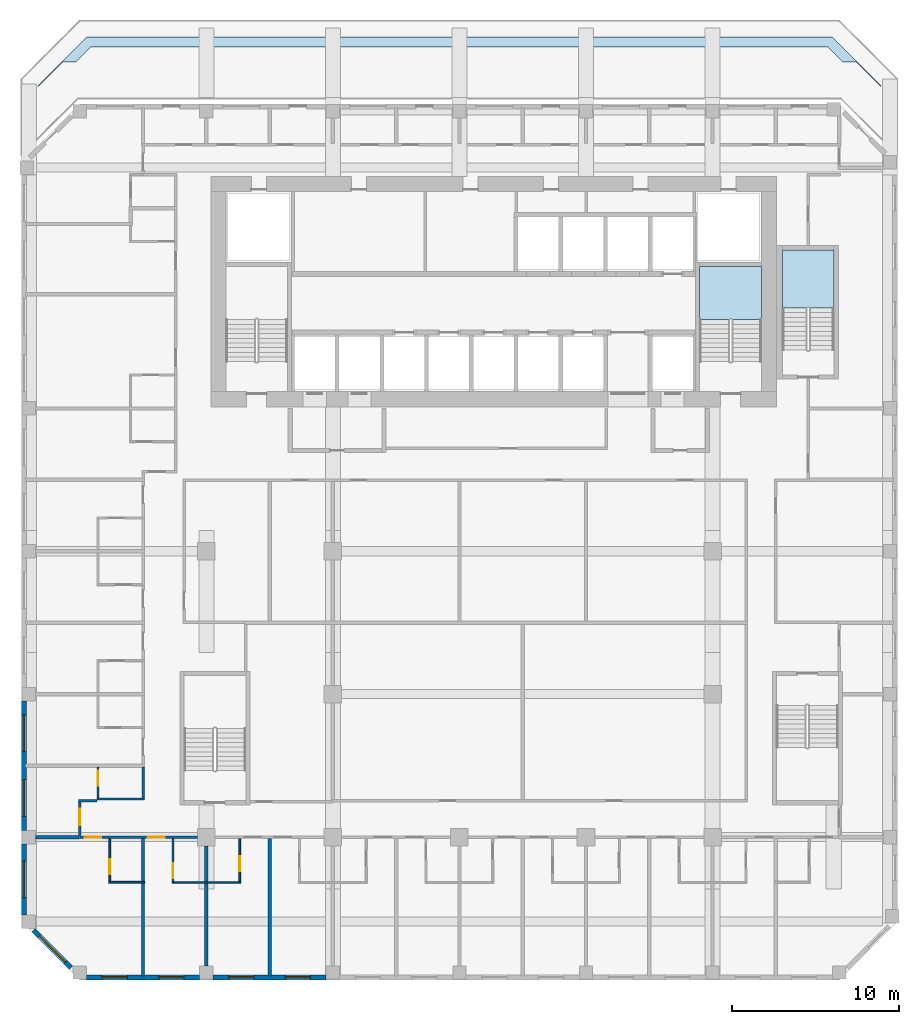
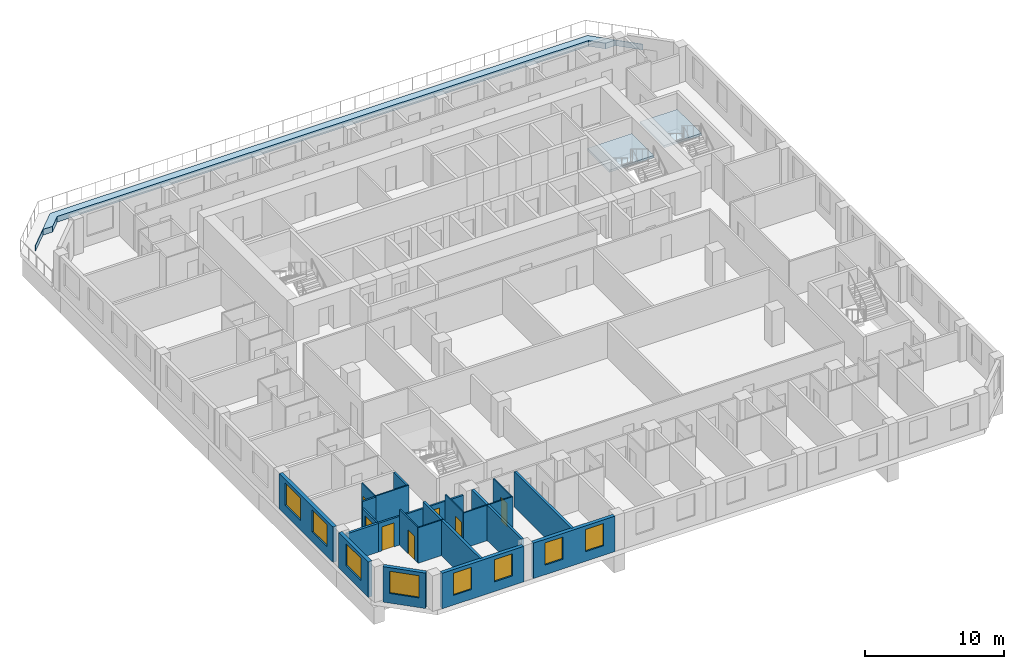
# One storey, part 2 of 16: 22 walls, 8 windows, 7 doors, 3 slabs, 15 openings, 2 elements without a shape of their own.
"""IFC4 building model written with IfcOpenShell, lengths in metres."""

from ifc_helpers import new_model, si_unit, direction, frame, frame_2d, origin, place, context, subcontext, project, spatial, polyline, rectangle, outline, extrude, source, transform, mapped, material, layer, layer_set, type_object, element, fill, aggregate, save


model = new_model("IFC4")

# Units and contexts
model_context = context("Model", 3, precision=1e-05, world=origin(), true_north=direction((0.0, 1.0)))
body_context = subcontext(model_context, "Body", "Model", "MODEL_VIEW")
ifc_project = project(units=[si_unit("LENGTHUNIT", "METRE"), si_unit("AREAUNIT", "SQUARE_METRE"), si_unit("VOLUMEUNIT", "CUBIC_METRE"), si_unit("PLANEANGLEUNIT", "RADIAN"), si_unit("MASSUNIT", "GRAM", prefix="KILO")], contexts=[model_context])

# Site, building, storey
site_placement = place(None, origin())
site = spatial("IfcSite", under=ifc_project, at=site_placement, CompositionType="ELEMENT")
building_placement = place(site_placement, origin())
building = spatial("IfcBuilding", under=site, at=building_placement, Name="Kilnfold Tower and Market Hall", CompositionType="ELEMENT")
storey_placement = place(building_placement, frame((0.0, 0.0, 168.5)))
storey = spatial("IfcBuildingStorey", under=building, at=storey_placement, Name="L39", CompositionType="ELEMENT", Elevation=168.5)

# Slab
ifc_material_1 = material(Name="Concrete C40/50", Category="concrete")
ifc_layer_1 = layer(ifc_material_1, 0.5)
ifc_layer_set_1 = layer_set([ifc_layer_1], Name="Concrete C40/50")
slab_type_1 = type_object("IfcSlabType", Name="PLANTER BED 500", PredefinedType="ROOF", material=ifc_layer_set_1)
shared_shape_1 = source(origin(), body_context, "Body", "SweptSolid", [
    extrude(outline(polyline([(21.335693359375, 30.25), (24.25, 27.335693359375), (24.25, 27.285400390625), (22.785400390625, 28.75), (21.9873046875, 28.75), (21.08740234375, 29.64990234375), (-23.08740234375, 29.64990234375), (-23.9873046875, 28.75), (-24.785400390625, 28.75), (-26.25, 27.285400390625), (-26.25, 27.335693359375), (-23.335693359375, 30.25), (21.335693359375, 30.25)])), origin(), (0.0, 0.0, 1.0), 0.5),
])
slab_1_placement = place(storey_placement, origin())
element("IfcSlab", 1, at=slab_1_placement, inside=storey, type_object=slab_type_1, Name="Planter bed L39 1.1", PredefinedType="ROOF", context=body_context, shape_type="MappedRepresentation", body=[
    mapped(shared_shape_1, transform((0.0, 0.0, 0.0))),
])

# Stair, slab
ifc_material_2 = material(Name="Concrete C40/50", Category="concrete")
stair_type_1 = type_object("IfcStairType", Name="CORE STAIR 1800", PredefinedType="HALF_TURN_STAIR", material=ifc_material_2)
stair_1_placement = place(storey_placement, origin())
stair_1 = element("IfcStair", 2, at=stair_1_placement, inside=storey, type_object=stair_type_1, Name="L39 ST2", PredefinedType="HALF_TURN_STAIR")
ifc_material_3 = material(Name="Concrete C40/50", Category="concrete")
ifc_layer_2 = layer(ifc_material_3, 0.199951171875)
ifc_layer_set_2 = layer_set([ifc_layer_2], Name="Concrete C40/50")
slab_type_2 = type_object("IfcSlabType", Name="CORE STAIR LANDING 200", PredefinedType="LANDING", material=ifc_layer_set_2)
shared_shape_2 = source(origin(), body_context, "Body", "SweptSolid", [
    extrude(outline(polyline([(17.10009765625, 13.320068359375), (17.10009765625, 16.5), (13.39990234375, 16.5), (13.39990234375, 13.320068359375), (17.10009765625, 13.320068359375)])), origin(), (0.0, 0.0, 1.0), 0.199951171875),
])
slab_2_placement = place(storey_placement, frame((0.0, 0.0, 1.5)))
slab_2 = element("IfcSlab", 3, at=slab_2_placement, type_object=slab_type_2, Name="ST2 landing 1", PredefinedType="LANDING", context=body_context, shape_type="MappedRepresentation", body=[
    mapped(shared_shape_2, transform((0.0, 0.0, 0.0))),
])
aggregate(stair_1, [slab_2])

ifc_material_4 = material(Name="Concrete C40/50", Category="concrete")
stair_type_2 = type_object("IfcStairType", Name="CORE STAIR 1500", PredefinedType="HALF_TURN_STAIR", material=ifc_material_4)
stair_2_placement = place(storey_placement, origin())
stair_2 = element("IfcStair", 4, at=stair_2_placement, inside=storey, type_object=stair_type_2, Name="L39 ST5", PredefinedType="HALF_TURN_STAIR")
shared_shape_3 = source(origin(), body_context, "Body", "SweptSolid", [
    extrude(outline(polyline([(21.449951171875, 14.02001953125), (21.449951171875, 17.5), (18.35009765625, 17.5), (18.35009765625, 14.02001953125), (21.449951171875, 14.02001953125)])), origin(), (0.0, 0.0, 1.0), 0.199951171875),
])
slab_3_placement = place(storey_placement, frame((0.0, 0.0, 1.5)))
slab_3 = element("IfcSlab", 5, at=slab_3_placement, type_object=slab_type_2, Name="ST5 landing 1", PredefinedType="LANDING", context=body_context, shape_type="MappedRepresentation", body=[
    mapped(shared_shape_3, transform((0.0, 0.0, 0.0))),
])
aggregate(stair_2, [slab_3])

# Wall, openings, doors
ifc_material_5 = material(Name="Gypsum board on steel studs", Category="steel")
ifc_layer_3 = layer(ifc_material_5, 0.14990234375)
ifc_layer_set_3 = layer_set([ifc_layer_3], Name="Gypsum board on steel studs")
wall_type_1 = type_object("IfcWallType", Name="WALL CORRIDOR 150", PredefinedType="PARTITIONING", material=ifc_layer_set_3)
wall_1_placement = place(storey_placement, frame((-23.75, -17.699951171875, 0.0), z_axis=(0.0, 0.0, 1.0), x_axis=(1.0, 0.0, 0.0)))
wall_1 = element("IfcWall", 6, at=wall_1_placement, inside=storey, type_object=wall_type_1, Name="Partition LY26.1", PredefinedType="PARTITIONING", context=body_context, shape_type="SweptSolid", body=[
    extrude(rectangle(XDim=7.05810546875, YDim=0.14990234375, at=frame_2d((3.529052734375, 0.0))), origin(), (0.0, 0.0, 1.0), 2.52001953125),
])
opening_1_placement = place(wall_1_placement, frame((0.300048828125, 0.0, 0.0)))
opening_1 = element("IfcOpeningElement", 7, at=opening_1_placement, cuts=wall_1, Name="Opening D1", PredefinedType="OPENING", context=body_context, shape_type="SweptSolid", body=[
    extrude(rectangle(XDim=1.0, YDim=2.10009765625, at=frame_2d((0.5, 1.050048828125))), frame((0.0, 0.0849609375, 0.0), z_axis=(0.0, -1.0, 0.0), x_axis=(1.0, 0.0, 0.0)), (0.0, 0.0, 1.0), 0.169921875),
])
opening_2_placement = place(wall_1_placement, frame((4.083984375, 0.0, 0.0)))
opening_2 = element("IfcOpeningElement", 8, at=opening_2_placement, cuts=wall_1, Name="Opening D1", PredefinedType="OPENING", context=body_context, shape_type="SweptSolid", body=[
    extrude(rectangle(XDim=1.0, YDim=2.10009765625, at=frame_2d((0.5, 1.050048828125))), frame((0.0, 0.0849609375, 0.0), z_axis=(0.0, -1.0, 0.0), x_axis=(1.0, 0.0, 0.0)), (0.0, 0.0, 1.0), 0.169921875),
])
ifc_material_6 = material(Name="Timber veneer door leaf in steel frame", Category="steel")
door_type_1 = type_object("IfcDoorType", Name="DOOR ENTRY 1000 X2100", OperationType="NOTDEFINED", PredefinedType="DOOR", material=ifc_material_6)
door_1_placement = place(opening_1_placement, origin())
door_1 = element("IfcDoor", 9, at=door_1_placement, inside=storey, type_object=door_type_1, Name="Door D1", OperationType="SINGLE_SWING_RIGHT", OverallHeight=2.10009765625, OverallWidth=1.0, PredefinedType="DOOR", context=body_context, shape_type="SweptSolid", body=[
    extrude(rectangle(XDim=1.0, YDim=2.10009765625, at=frame_2d((0.5, 1.050048828125))), frame((0.0, 0.02490234375, 0.0), z_axis=(0.0, -1.0, 0.0), x_axis=(1.0, 0.0, 0.0)), (0.0, 0.0, 1.0), 0.050048828125),
])
fill(opening_1, door_1)
door_2_placement = place(opening_2_placement, origin())
door_2 = element("IfcDoor", 10, at=door_2_placement, inside=storey, type_object=door_type_1, Name="Door D1", OperationType="SINGLE_SWING_RIGHT", OverallHeight=2.10009765625, OverallWidth=1.0, PredefinedType="DOOR", context=body_context, shape_type="SweptSolid", body=[
    extrude(rectangle(XDim=1.0, YDim=2.10009765625, at=frame_2d((0.5, 1.050048828125))), frame((0.0, 0.02490234375, 0.0), z_axis=(0.0, -1.0, 0.0), x_axis=(1.0, 0.0, 0.0)), (0.0, 0.0, 1.0), 0.050048828125),
])
fill(opening_2, door_2)

# Wall, opening, door
wall_2_placement = place(storey_placement, frame((-23.75, -15.574951171875, 0.0), z_axis=(0.0, 0.0, 1.0), x_axis=(0.0, -1.0, 0.0)))
wall_2 = element("IfcWall", 11, at=wall_2_placement, inside=storey, type_object=wall_type_1, Name="Partition LY26.7", PredefinedType="PARTITIONING", context=body_context, shape_type="SweptSolid", body=[
    extrude(rectangle(XDim=2.02294921875, YDim=0.14990234375, at=frame_2d((1.011474609375, 0.0))), origin(), (0.0, 0.0, 1.0), 2.52001953125),
])
opening_3_placement = place(wall_2_placement, frame((0.407958984375, 0.0, 0.0)))
opening_3 = element("IfcOpeningElement", 12, at=opening_3_placement, cuts=wall_2, Name="Opening D1", PredefinedType="OPENING", context=body_context, shape_type="SweptSolid", body=[
    extrude(rectangle(XDim=1.0, YDim=2.10009765625, at=frame_2d((0.5, 1.050048828125))), frame((0.0, 0.0849609375, 0.0), z_axis=(0.0, -1.0, 0.0), x_axis=(1.0, 0.0, 0.0)), (0.0, 0.0, 1.0), 0.169921875),
])
door_3_placement = place(opening_3_placement, origin())
door_3 = element("IfcDoor", 13, at=door_3_placement, inside=storey, type_object=door_type_1, Name="Door D1", OperationType="SINGLE_SWING_LEFT", OverallHeight=2.10009765625, OverallWidth=1.0, PredefinedType="DOOR", context=body_context, shape_type="SweptSolid", body=[
    extrude(rectangle(XDim=1.0, YDim=2.10009765625, at=frame_2d((0.5, 1.050048828125))), frame((0.0, 0.02490234375, 0.0), z_axis=(0.0, -1.0, 0.0), x_axis=(1.0, 0.0, 0.0)), (0.0, 0.0, 1.0), 0.050048828125),
])
fill(opening_3, door_3)

# Walls
wall_3_placement = place(storey_placement, frame((-23.824951171875, -15.5, 0.0), z_axis=(0.0, 0.0, 1.0), x_axis=(1.0, 0.0, 0.0)))
element("IfcWall", 14, at=wall_3_placement, inside=storey, type_object=wall_type_1, Name="Partition LY26.8", PredefinedType="PARTITIONING", context=body_context, shape_type="SweptSolid", body=[
    extrude(rectangle(XDim=1.114013671875, YDim=0.14990234375, at=frame_2d((0.55712890625, 0.0))), origin(), (0.0, 0.0, 1.0), 3.1201171875),
])
wall_4_placement = place(storey_placement, frame((-19.958984375, -15.365966796875, 0.0), z_axis=(0.0, 0.0, 1.0), x_axis=(0.0, 1.0, 0.0)))
element("IfcWall", 15, at=wall_4_placement, inside=storey, type_object=wall_type_1, Name="Partition LY26.9", PredefinedType="PARTITIONING", context=body_context, shape_type="SweptSolid", body=[
    extrude(rectangle(XDim=1.869873046875, YDim=0.14990234375, at=frame_2d((0.93505859375, 0.0))), origin(), (0.0, 0.0, 1.0), 3.1201171875),
])

# Wall, opening, door
ifc_material_7 = material(Name="Gypsum board on steel studs", Category="steel")
ifc_layer_4 = layer(ifc_material_7, 0.10009765625)
ifc_layer_set_4 = layer_set([ifc_layer_4], Name="Gypsum board on steel studs")
wall_type_2 = type_object("IfcWallType", Name="WALL PARTITION 100", PredefinedType="PARTITIONING", material=ifc_layer_set_4)
wall_5_placement = place(storey_placement, frame((-21.958984375, -20.337890625, 0.0), z_axis=(0.0, 0.0, 1.0), x_axis=(0.0, 1.0, 0.0)))
wall_5 = element("IfcWall", 16, at=wall_5_placement, inside=storey, type_object=wall_type_2, Name="Partition LY26.50", PredefinedType="PARTITIONING", context=body_context, shape_type="SweptSolid", body=[
    extrude(rectangle(XDim=2.560791015625, YDim=0.10009765625, at=frame_2d((1.2802734375, 0.0))), origin(), (0.0, 0.0, 1.0), 3.1201171875),
])
opening_4_placement = place(wall_5_placement, frame((0.409912109375, 0.0, 0.0)))
opening_4 = element("IfcOpeningElement", 17, at=opening_4_placement, cuts=wall_5, Name="Opening D3", PredefinedType="OPENING", context=body_context, shape_type="SweptSolid", body=[
    extrude(rectangle(XDim=0.89990234375, YDim=2.10009765625, at=frame_2d((0.449951171875, 1.050048828125))), frame((0.0, 0.06005859375, 0.0), z_axis=(0.0, -1.0, 0.0), x_axis=(1.0, 0.0, 0.0)), (0.0, 0.0, 1.0), 0.1201171875),
])
ifc_material_8 = material(Name="Timber veneer door leaf in steel frame", Category="steel")
door_type_2 = type_object("IfcDoorType", Name="DOOR WC 900 X2100", OperationType="NOTDEFINED", PredefinedType="DOOR", material=ifc_material_8)
door_4_placement = place(opening_4_placement, origin())
door_4 = element("IfcDoor", 18, at=door_4_placement, inside=storey, type_object=door_type_2, Name="Door D3", OperationType="SINGLE_SWING_LEFT", OverallHeight=2.10009765625, OverallWidth=0.89990234375, PredefinedType="DOOR", context=body_context, shape_type="SweptSolid", body=[
    extrude(rectangle(XDim=0.89990234375, YDim=2.10009765625, at=frame_2d((0.449951171875, 1.050048828125))), frame((0.0, 0.02490234375, 0.0), z_axis=(0.0, -1.0, 0.0), x_axis=(1.0, 0.0, 0.0)), (0.0, 0.0, 1.0), 0.050048828125),
])
fill(opening_4, door_4)

# Wall
wall_6_placement = place(storey_placement, frame((-22.009033203125, -20.387939453125, 0.0), z_axis=(0.0, 0.0, 1.0), x_axis=(1.0, 0.0, 0.0)))
element("IfcWall", 19, at=wall_6_placement, inside=storey, type_object=wall_type_2, Name="Partition LY26.51", PredefinedType="PARTITIONING", context=body_context, shape_type="SweptSolid", body=[
    extrude(rectangle(XDim=2.150146484375, YDim=0.10009765625, at=frame_2d((1.0751953125, 0.0))), origin(), (0.0, 0.0, 1.0), 3.1201171875),
])

# Wall, opening, door
wall_7_placement = place(storey_placement, frame((-18.1669921875, -20.35205078125, 0.0), z_axis=(0.0, 0.0, 1.0), x_axis=(0.0, 1.0, 0.0)))
wall_7 = element("IfcWall", 20, at=wall_7_placement, inside=storey, type_object=wall_type_2, Name="Partition LY26.55", PredefinedType="PARTITIONING", context=body_context, shape_type="SweptSolid", body=[
    extrude(rectangle(XDim=2.574951171875, YDim=0.10009765625, at=frame_2d((1.28759765625, 0.0))), origin(), (0.0, 0.0, 1.0), 3.1201171875),
])
opening_5_placement = place(wall_7_placement, frame((0.199951171875, 0.0, 0.0)))
opening_5 = element("IfcOpeningElement", 21, at=opening_5_placement, cuts=wall_7, Name="Opening D3", PredefinedType="OPENING", context=body_context, shape_type="SweptSolid", body=[
    extrude(rectangle(XDim=0.89990234375, YDim=2.10009765625, at=frame_2d((0.449951171875, 1.050048828125))), frame((0.0, 0.06005859375, 0.0), z_axis=(0.0, -1.0, 0.0), x_axis=(1.0, 0.0, 0.0)), (0.0, 0.0, 1.0), 0.1201171875),
])
door_5_placement = place(opening_5_placement, origin())
door_5 = element("IfcDoor", 22, at=door_5_placement, inside=storey, type_object=door_type_2, Name="Door D3", OperationType="SINGLE_SWING_LEFT", OverallHeight=2.10009765625, OverallWidth=0.89990234375, PredefinedType="DOOR", context=body_context, shape_type="SweptSolid", body=[
    extrude(rectangle(XDim=0.89990234375, YDim=2.10009765625, at=frame_2d((0.449951171875, 1.050048828125))), frame((0.0, 0.02490234375, 0.0), z_axis=(0.0, -1.0, 0.0), x_axis=(1.0, 0.0, 0.0)), (0.0, 0.0, 1.0), 0.050048828125),
])
fill(opening_5, door_5)

# Wall
wall_8_placement = place(storey_placement, frame((-18.217041015625, -20.402099609375, 0.0), z_axis=(0.0, 0.0, 1.0), x_axis=(1.0, 0.0, 0.0)))
element("IfcWall", 23, at=wall_8_placement, inside=storey, type_object=wall_type_2, Name="Partition LY26.56", PredefinedType="PARTITIONING", context=body_context, shape_type="SweptSolid", body=[
    extrude(rectangle(XDim=4.10009765625, YDim=0.10009765625, at=frame_2d((2.050048828125, 0.0))), origin(), (0.0, 0.0, 1.0), 3.1201171875),
])

# Wall, opening, door
wall_9_placement = place(storey_placement, frame((-14.1669921875, -17.777099609375, 0.0), z_axis=(0.0, 0.0, 1.0), x_axis=(0.0, -1.0, 0.0)))
wall_9 = element("IfcWall", 24, at=wall_9_placement, inside=storey, type_object=wall_type_2, Name="Partition LY26.59", PredefinedType="PARTITIONING", context=body_context, shape_type="SweptSolid", body=[
    extrude(rectangle(XDim=2.574951171875, YDim=0.10009765625, at=frame_2d((1.28759765625, 0.0))), origin(), (0.0, 0.0, 1.0), 3.1201171875),
])
opening_6_placement = place(wall_9_placement, frame((1.050048828125, 0.0, 0.0)))
opening_6 = element("IfcOpeningElement", 25, at=opening_6_placement, cuts=wall_9, Name="Opening D3", PredefinedType="OPENING", context=body_context, shape_type="SweptSolid", body=[
    extrude(rectangle(XDim=0.89990234375, YDim=2.10009765625, at=frame_2d((0.449951171875, 1.050048828125))), frame((0.0, 0.06005859375, 0.0), z_axis=(0.0, -1.0, 0.0), x_axis=(1.0, 0.0, 0.0)), (0.0, 0.0, 1.0), 0.1201171875),
])
door_6_placement = place(opening_6_placement, origin())
door_6 = element("IfcDoor", 26, at=door_6_placement, inside=storey, type_object=door_type_2, Name="Door D3", OperationType="SINGLE_SWING_LEFT", OverallHeight=2.10009765625, OverallWidth=0.89990234375, PredefinedType="DOOR", context=body_context, shape_type="SweptSolid", body=[
    extrude(rectangle(XDim=0.89990234375, YDim=2.10009765625, at=frame_2d((0.449951171875, 1.050048828125))), frame((0.0, 0.02490234375, 0.0), z_axis=(0.0, -1.0, 0.0), x_axis=(1.0, 0.0, 0.0)), (0.0, 0.0, 1.0), 0.050048828125),
])
fill(opening_6, door_6)

# Wall
wall_10_placement = place(storey_placement, frame((-19.885986328125, -15.406005859375, 0.0), z_axis=(0.0, 0.0, 1.0), x_axis=(-1.0, 0.0, 0.0)))
element("IfcWall", 27, at=wall_10_placement, inside=storey, type_object=wall_type_2, Name="Partition LY26.89", PredefinedType="PARTITIONING", context=body_context, shape_type="SweptSolid", body=[
    extrude(rectangle(XDim=2.824951171875, YDim=0.10009765625, at=frame_2d((1.41259765625, 0.0))), origin(), (0.0, 0.0, 1.0), 3.1201171875),
])

# Wall, opening, door
wall_11_placement = place(storey_placement, frame((-22.660888671875, -15.35595703125, 0.0), z_axis=(0.0, 0.0, 1.0), x_axis=(0.0, 1.0, 0.0)))
wall_11 = element("IfcWall", 28, at=wall_11_placement, inside=storey, type_object=wall_type_2, Name="Partition LY26.90", PredefinedType="PARTITIONING", context=body_context, shape_type="SweptSolid", body=[
    extrude(rectangle(XDim=1.849853515625, YDim=0.10009765625, at=frame_2d((0.9248046875, 0.0))), origin(), (0.0, 0.0, 1.0), 3.1201171875),
])
opening_7_placement = place(wall_11_placement, frame((0.75, 0.0, 0.0)))
opening_7 = element("IfcOpeningElement", 29, at=opening_7_placement, cuts=wall_11, Name="Opening D3", PredefinedType="OPENING", context=body_context, shape_type="SweptSolid", body=[
    extrude(rectangle(XDim=0.89990234375, YDim=2.10009765625, at=frame_2d((0.449951171875, 1.050048828125))), frame((0.0, 0.06005859375, 0.0), z_axis=(0.0, -1.0, 0.0), x_axis=(1.0, 0.0, 0.0)), (0.0, 0.0, 1.0), 0.1201171875),
])
door_7_placement = place(opening_7_placement, origin())
door_7 = element("IfcDoor", 30, at=door_7_placement, inside=storey, type_object=door_type_2, Name="Door D3", OperationType="SINGLE_SWING_RIGHT", OverallHeight=2.10009765625, OverallWidth=0.89990234375, PredefinedType="DOOR", context=body_context, shape_type="SweptSolid", body=[
    extrude(rectangle(XDim=0.89990234375, YDim=2.10009765625, at=frame_2d((0.449951171875, 1.050048828125))), frame((0.0, 0.02490234375, 0.0), z_axis=(0.0, -1.0, 0.0), x_axis=(1.0, 0.0, 0.0)), (0.0, 0.0, 1.0), 0.050048828125),
])
fill(opening_7, door_7)

# Walls
ifc_material_9 = material(Name="Gypsum board on steel studs", Category="steel")
ifc_layer_5 = layer(ifc_material_9, 0.199951171875)
ifc_layer_set_5 = layer_set([ifc_layer_5], Name="Gypsum board on steel studs")
wall_type_3 = type_object("IfcWallType", Name="WALL PARTY 200", PredefinedType="PARTITIONING", material=ifc_layer_set_5)
wall_12_placement = place(storey_placement, frame((-19.958984375, -26.0, 0.0), z_axis=(0.0, 0.0, 1.0), x_axis=(0.0, 1.0, 0.0)))
element("IfcWall", 31, at=wall_12_placement, inside=storey, type_object=wall_type_3, Name="Partition LY26.52", PredefinedType="PARTITIONING", context=body_context, shape_type="SweptSolid", body=[
    extrude(rectangle(XDim=5.56201171875, YDim=0.199951171875, at=frame_2d((2.781005859375, 0.0))), origin(), (0.0, 0.0, 1.0), 3.1201171875),
])
wall_13_placement = place(storey_placement, frame((-26.39990234375, -17.68798828125, 0.0), z_axis=(0.0, 0.0, 1.0), x_axis=(1.0, 0.0, 0.0)))
element("IfcWall", 32, at=wall_13_placement, inside=storey, type_object=wall_type_3, Name="Partition LY26.53", PredefinedType="PARTITIONING", context=body_context, shape_type="SweptSolid", body=[
    extrude(rectangle(XDim=2.64794921875, YDim=0.199951171875, at=frame_2d((1.323974609375, 0.0))), origin(), (0.0, 0.0, 1.0), 2.52001953125),
])
wall_14_placement = place(storey_placement, frame((-19.958984375, -20.337890625, 0.0), z_axis=(0.0, 0.0, 1.0), x_axis=(0.0, 1.0, 0.0)))
element("IfcWall", 33, at=wall_14_placement, inside=storey, type_object=wall_type_3, Name="Partition LY26.54", PredefinedType="PARTITIONING", context=body_context, shape_type="SweptSolid", body=[
    extrude(rectangle(XDim=2.560791015625, YDim=0.199951171875, at=frame_2d((1.2802734375, 0.0))), origin(), (0.0, 0.0, 1.0), 3.1201171875),
])
wall_15_placement = place(storey_placement, frame((-16.1669921875, -25.39990234375, 0.0), z_axis=(0.0, 0.0, 1.0), x_axis=(0.0, 1.0, 0.0)))
element("IfcWall", 34, at=wall_15_placement, inside=storey, type_object=wall_type_3, Name="Partition LY26.57", PredefinedType="PARTITIONING", context=body_context, shape_type="SweptSolid", body=[
    extrude(rectangle(XDim=4.947998046875, YDim=0.199951171875, at=frame_2d((2.47412109375, 0.0))), origin(), (0.0, 0.0, 1.0), 3.1201171875),
])
wall_16_placement = place(storey_placement, frame((-16.1669921875, -20.35205078125, 0.0), z_axis=(0.0, 0.0, 1.0), x_axis=(0.0, 1.0, 0.0)))
element("IfcWall", 35, at=wall_16_placement, inside=storey, type_object=wall_type_3, Name="Partition LY26.58", PredefinedType="PARTITIONING", context=body_context, shape_type="SweptSolid", body=[
    extrude(rectangle(XDim=2.14013671875, YDim=0.199951171875, at=frame_2d((1.070068359375, 0.0))), origin(), (0.0, 0.0, 1.0), 3.1201171875),
])
wall_17_placement = place(storey_placement, frame((-12.375, -26.0, 0.0), z_axis=(0.0, 0.0, 1.0), x_axis=(0.0, 1.0, 0.0)))
element("IfcWall", 36, at=wall_17_placement, inside=storey, type_object=wall_type_3, Name="Partition LY26.60", PredefinedType="PARTITIONING", context=body_context, shape_type="SweptSolid", body=[
    extrude(rectangle(XDim=8.222900390625, YDim=0.199951171875, at=frame_2d((4.111328125, 0.0))), origin(), (0.0, 0.0, 1.0), 3.1201171875),
])

# Wall, openings, windows
ifc_material_10 = material(Name="Precast concrete C50/60", Category="concrete")
ifc_layer_6 = layer(ifc_material_10, 0.300048828125)
ifc_layer_set_6 = layer_set([ifc_layer_6], Name="Precast concrete C50/60")
wall_type_4 = type_object("IfcWallType", Name="PRECAST WALL 300", PredefinedType="SOLIDWALL", material=ifc_layer_set_6)
shared_shape_4 = source(origin(), body_context, "Body", "SweptSolid", [
    extrude(rectangle(XDim=6.783447265625, YDim=0.300048828125, at=frame_2d((3.3916015625, 0.0))), origin(), (0.0, 0.0, 1.0), 3.1201171875),
])
wall_18_placement = place(storey_placement, frame((-23.35009765625, -26.10009765625, 0.0), z_axis=(0.0, 0.0, 1.0), x_axis=(1.0, 0.0, 0.0)))
wall_18 = element("IfcWall", 37, at=wall_18_placement, inside=storey, type_object=wall_type_4, Name="External wall L39 S", PredefinedType="SOLIDWALL", context=body_context, shape_type="MappedRepresentation", body=[
    mapped(shared_shape_4, transform((0.0, 0.0, 0.0))),
])
opening_8_placement = place(wall_18_placement, frame((0.94580078125, 0.0, 0.85009765625)))
opening_8 = element("IfcOpeningElement", 38, at=opening_8_placement, cuts=wall_18, Name="Opening W4", PredefinedType="OPENING", context=body_context, shape_type="SweptSolid", body=[
    extrude(rectangle(XDim=1.5, YDim=1.949951171875, at=frame_2d((0.75, 0.97509765625))), frame((0.0, 0.16015625, 0.0), z_axis=(0.0, -1.0, 0.0), x_axis=(1.0, 0.0, 0.0)), (0.0, 0.0, 1.0), 0.320068359375),
])
opening_9_placement = place(wall_18_placement, frame((4.33740234375, 0.0, 0.85009765625)))
opening_9 = element("IfcOpeningElement", 39, at=opening_9_placement, cuts=wall_18, Name="Opening W4", PredefinedType="OPENING", context=body_context, shape_type="SweptSolid", body=[
    extrude(rectangle(XDim=1.5, YDim=1.949951171875, at=frame_2d((0.75, 0.97509765625))), frame((0.0, 0.16015625, 0.0), z_axis=(0.0, -1.0, 0.0), x_axis=(1.0, 0.0, 0.0)), (0.0, 0.0, 1.0), 0.320068359375),
])
ifc_material_11 = material(Name="Aluminium frame and double glazing", Category="aluminium")
window_type_1 = type_object("IfcWindowType", Name="WINDOW W4 1500X1950", PartitioningType="SINGLE_PANEL", PredefinedType="WINDOW", material=ifc_material_11)
window_1_placement = place(opening_8_placement, origin())
window_1 = element("IfcWindow", 40, at=window_1_placement, inside=storey, type_object=window_type_1, Name="Window W4 L39 S-1", OverallHeight=1.949951171875, OverallWidth=1.5, PartitioningType="SINGLE_PANEL", PredefinedType="WINDOW", context=body_context, shape_type="SweptSolid", body=[
    extrude(rectangle(XDim=1.5, YDim=1.949951171875, at=frame_2d((0.75, 0.97509765625))), frame((0.0, 0.030029296875, 0.0), z_axis=(0.0, -1.0, 0.0), x_axis=(1.0, 0.0, 0.0)), (0.0, 0.0, 1.0), 0.06005859375),
])
fill(opening_8, window_1)
window_2_placement = place(opening_9_placement, origin())
window_2 = element("IfcWindow", 41, at=window_2_placement, inside=storey, type_object=window_type_1, Name="Window W4 L39 S-2", OverallHeight=1.949951171875, OverallWidth=1.5, PartitioningType="SINGLE_PANEL", PredefinedType="WINDOW", context=body_context, shape_type="SweptSolid", body=[
    extrude(rectangle(XDim=1.5, YDim=1.949951171875, at=frame_2d((0.75, 0.97509765625))), frame((0.0, 0.030029296875, 0.0), z_axis=(0.0, -1.0, 0.0), x_axis=(1.0, 0.0, 0.0)), (0.0, 0.0, 1.0), 0.06005859375),
])
fill(opening_9, window_2)

shared_shape_5 = source(origin(), body_context, "Body", "SweptSolid", [
    extrude(rectangle(XDim=6.783203125, YDim=0.300048828125, at=frame_2d((3.3916015625, 0.0))), origin(), (0.0, 0.0, 1.0), 3.1201171875),
])
wall_19_placement = place(storey_placement, frame((-15.7666015625, -26.10009765625, 0.0), z_axis=(0.0, 0.0, 1.0), x_axis=(1.0, 0.0, 0.0)))
wall_19 = element("IfcWall", 42, at=wall_19_placement, inside=storey, type_object=wall_type_4, Name="External wall L39 S", PredefinedType="SOLIDWALL", context=body_context, shape_type="MappedRepresentation", body=[
    mapped(shared_shape_5, transform((0.0, 0.0, 0.0))),
])
opening_10_placement = place(wall_19_placement, frame((0.94580078125, 0.0, 0.85009765625)))
opening_10 = element("IfcOpeningElement", 43, at=opening_10_placement, cuts=wall_19, Name="Opening W4", PredefinedType="OPENING", context=body_context, shape_type="SweptSolid", body=[
    extrude(rectangle(XDim=1.5, YDim=1.949951171875, at=frame_2d((0.75, 0.97509765625))), frame((0.0, 0.16015625, 0.0), z_axis=(0.0, -1.0, 0.0), x_axis=(1.0, 0.0, 0.0)), (0.0, 0.0, 1.0), 0.320068359375),
])
opening_11_placement = place(wall_19_placement, frame((4.337646484375, 0.0, 0.85009765625)))
opening_11 = element("IfcOpeningElement", 44, at=opening_11_placement, cuts=wall_19, Name="Opening W4", PredefinedType="OPENING", context=body_context, shape_type="SweptSolid", body=[
    extrude(rectangle(XDim=1.5, YDim=1.949951171875, at=frame_2d((0.75, 0.97509765625))), frame((0.0, 0.16015625, 0.0), z_axis=(0.0, -1.0, 0.0), x_axis=(1.0, 0.0, 0.0)), (0.0, 0.0, 1.0), 0.320068359375),
])
window_3_placement = place(opening_10_placement, origin())
window_3 = element("IfcWindow", 45, at=window_3_placement, inside=storey, type_object=window_type_1, Name="Window W4 L39 S-1", OverallHeight=1.949951171875, OverallWidth=1.5, PartitioningType="SINGLE_PANEL", PredefinedType="WINDOW", context=body_context, shape_type="SweptSolid", body=[
    extrude(rectangle(XDim=1.5, YDim=1.949951171875, at=frame_2d((0.75, 0.97509765625))), frame((0.0, 0.030029296875, 0.0), z_axis=(0.0, -1.0, 0.0), x_axis=(1.0, 0.0, 0.0)), (0.0, 0.0, 1.0), 0.06005859375),
])
fill(opening_10, window_3)
window_4_placement = place(opening_11_placement, origin())
window_4 = element("IfcWindow", 46, at=window_4_placement, inside=storey, type_object=window_type_1, Name="Window W4 L39 S-2", OverallHeight=1.949951171875, OverallWidth=1.5, PartitioningType="SINGLE_PANEL", PredefinedType="WINDOW", context=body_context, shape_type="SweptSolid", body=[
    extrude(rectangle(XDim=1.5, YDim=1.949951171875, at=frame_2d((0.75, 0.97509765625))), frame((0.0, 0.030029296875, 0.0), z_axis=(0.0, -1.0, 0.0), x_axis=(1.0, 0.0, 0.0)), (0.0, 0.0, 1.0), 0.06005859375),
])
fill(opening_11, window_4)

# Wall, opening, window
shared_shape_6 = source(origin(), body_context, "Body", "SweptSolid", [
    extrude(rectangle(XDim=3.18212890625, YDim=0.300048828125, at=frame_2d((1.591064453125, 0.0))), origin(), (0.0, 0.0, 1.0), 3.1201171875),
])
wall_20_placement = place(storey_placement, frame((-26.518798828125, -23.268798828125, 0.0), z_axis=(0.0, 0.0, 1.0), x_axis=(0.707068419229, -0.707145141063, 0.0)))
wall_20 = element("IfcWall", 47, at=wall_20_placement, inside=storey, type_object=wall_type_4, Name="External wall L39 SW", PredefinedType="SOLIDWALL", context=body_context, shape_type="MappedRepresentation", body=[
    mapped(shared_shape_6, transform((0.0, 0.0, 0.0))),
])
opening_12_placement = place(wall_20_placement, frame((0.490966796875, 0.0, 0.85009765625)))
opening_12 = element("IfcOpeningElement", 48, at=opening_12_placement, cuts=wall_20, Name="Opening W2", PredefinedType="OPENING", context=body_context, shape_type="SweptSolid", body=[
    extrude(rectangle(XDim=2.199951171875, YDim=1.949951171875, at=frame_2d((1.10009765625, 0.97509765625))), frame((0.0, 0.16015625, 0.0), z_axis=(0.0, -1.0, 0.0), x_axis=(1.0, 0.0, 0.0)), (0.0, 0.0, 1.0), 0.320068359375),
])
ifc_material_12 = material(Name="Aluminium frame and double glazing", Category="aluminium")
window_type_2 = type_object("IfcWindowType", Name="WINDOW W2 2200X1950", PartitioningType="SINGLE_PANEL", PredefinedType="WINDOW", material=ifc_material_12)
window_5_placement = place(opening_12_placement, origin())
window_5 = element("IfcWindow", 49, at=window_5_placement, inside=storey, type_object=window_type_2, Name="Window W2 L39 SW-1", OverallHeight=1.949951171875, OverallWidth=2.199951171875, PartitioningType="SINGLE_PANEL", PredefinedType="WINDOW", context=body_context, shape_type="SweptSolid", body=[
    extrude(rectangle(XDim=2.199951171875, YDim=1.949951171875, at=frame_2d((1.10009765625, 0.97509765625))), frame((0.0, 0.030029296875, 0.0), z_axis=(0.0, -1.0, 0.0), x_axis=(1.0, 0.0, 0.0)), (0.0, 0.0, 1.0), 0.06005859375),
])
fill(opening_12, window_5)

# Wall, openings, windows
shared_shape_7 = source(origin(), body_context, "Body", "SweptSolid", [
    extrude(rectangle(XDim=7.7626953125, YDim=0.300048828125, at=frame_2d((3.88134765625, 0.0))), origin(), (0.0, 0.0, 1.0), 3.1201171875),
])
wall_21_placement = place(storey_placement, frame((-27.10009765625, -9.52490234375, 0.0), z_axis=(0.0, 0.0, 1.0), x_axis=(0.0, -1.0, 0.0)))
wall_21 = element("IfcWall", 50, at=wall_21_placement, inside=storey, type_object=wall_type_4, Name="External wall L39 W", PredefinedType="SOLIDWALL", context=body_context, shape_type="MappedRepresentation", body=[
    mapped(shared_shape_7, transform((0.0, 0.0, 0.0))),
])
opening_13_placement = place(wall_21_placement, frame((0.840576171875, 0.0, 0.85009765625)))
opening_13 = element("IfcOpeningElement", 51, at=opening_13_placement, cuts=wall_21, Name="Opening W2", PredefinedType="OPENING", context=body_context, shape_type="SweptSolid", body=[
    extrude(rectangle(XDim=2.199951171875, YDim=1.949951171875, at=frame_2d((1.10009765625, 0.97509765625))), frame((0.0, 0.16015625, 0.0), z_axis=(0.0, -1.0, 0.0), x_axis=(1.0, 0.0, 0.0)), (0.0, 0.0, 1.0), 0.320068359375),
])
opening_14_placement = place(wall_21_placement, frame((4.721923828125, 0.0, 0.85009765625)))
opening_14 = element("IfcOpeningElement", 52, at=opening_14_placement, cuts=wall_21, Name="Opening W2", PredefinedType="OPENING", context=body_context, shape_type="SweptSolid", body=[
    extrude(rectangle(XDim=2.199951171875, YDim=1.949951171875, at=frame_2d((1.10009765625, 0.97509765625))), frame((0.0, 0.16015625, 0.0), z_axis=(0.0, -1.0, 0.0), x_axis=(1.0, 0.0, 0.0)), (0.0, 0.0, 1.0), 0.320068359375),
])
window_6_placement = place(opening_13_placement, origin())
window_6 = element("IfcWindow", 53, at=window_6_placement, inside=storey, type_object=window_type_2, Name="Window W2 L39 W-1", OverallHeight=1.949951171875, OverallWidth=2.199951171875, PartitioningType="SINGLE_PANEL", PredefinedType="WINDOW", context=body_context, shape_type="SweptSolid", body=[
    extrude(rectangle(XDim=2.199951171875, YDim=1.949951171875, at=frame_2d((1.10009765625, 0.97509765625))), frame((0.0, 0.030029296875, 0.0), z_axis=(0.0, -1.0, 0.0), x_axis=(1.0, 0.0, 0.0)), (0.0, 0.0, 1.0), 0.06005859375),
])
fill(opening_13, window_6)
window_7_placement = place(opening_14_placement, origin())
window_7 = element("IfcWindow", 54, at=window_7_placement, inside=storey, type_object=window_type_2, Name="Window W2 L39 W-2", OverallHeight=1.949951171875, OverallWidth=2.199951171875, PartitioningType="SINGLE_PANEL", PredefinedType="WINDOW", context=body_context, shape_type="SweptSolid", body=[
    extrude(rectangle(XDim=2.199951171875, YDim=1.949951171875, at=frame_2d((1.10009765625, 0.97509765625))), frame((0.0, 0.030029296875, 0.0), z_axis=(0.0, -1.0, 0.0), x_axis=(1.0, 0.0, 0.0)), (0.0, 0.0, 1.0), 0.06005859375),
])
fill(opening_14, window_7)

# Wall, opening, window
shared_shape_8 = source(origin(), body_context, "Body", "SweptSolid", [
    extrude(rectangle(XDim=4.2626953125, YDim=0.300048828125, at=frame_2d((2.13134765625, 0.0))), origin(), (0.0, 0.0, 1.0), 3.1201171875),
])
wall_22_placement = place(storey_placement, frame((-27.10009765625, -18.08740234375, 0.0), z_axis=(0.0, 0.0, 1.0), x_axis=(0.0, -1.0, 0.0)))
wall_22 = element("IfcWall", 55, at=wall_22_placement, inside=storey, type_object=wall_type_4, Name="External wall L39 W", PredefinedType="SOLIDWALL", context=body_context, shape_type="MappedRepresentation", body=[
    mapped(shared_shape_8, transform((0.0, 0.0, 0.0))),
])
opening_15_placement = place(wall_22_placement, frame((1.03125, 0.0, 0.85009765625)))
opening_15 = element("IfcOpeningElement", 56, at=opening_15_placement, cuts=wall_22, Name="Opening W2", PredefinedType="OPENING", context=body_context, shape_type="SweptSolid", body=[
    extrude(rectangle(XDim=2.199951171875, YDim=1.949951171875, at=frame_2d((1.10009765625, 0.97509765625))), frame((0.0, 0.16015625, 0.0), z_axis=(0.0, -1.0, 0.0), x_axis=(1.0, 0.0, 0.0)), (0.0, 0.0, 1.0), 0.320068359375),
])
window_8_placement = place(opening_15_placement, origin())
window_8 = element("IfcWindow", 57, at=window_8_placement, inside=storey, type_object=window_type_2, Name="Window W2 L39 W-1", OverallHeight=1.949951171875, OverallWidth=2.199951171875, PartitioningType="SINGLE_PANEL", PredefinedType="WINDOW", context=body_context, shape_type="SweptSolid", body=[
    extrude(rectangle(XDim=2.199951171875, YDim=1.949951171875, at=frame_2d((1.10009765625, 0.97509765625))), frame((0.0, 0.030029296875, 0.0), z_axis=(0.0, -1.0, 0.0), x_axis=(1.0, 0.0, 0.0)), (0.0, 0.0, 1.0), 0.06005859375),
])
fill(opening_15, window_8)

save(model, "model.ifc")
